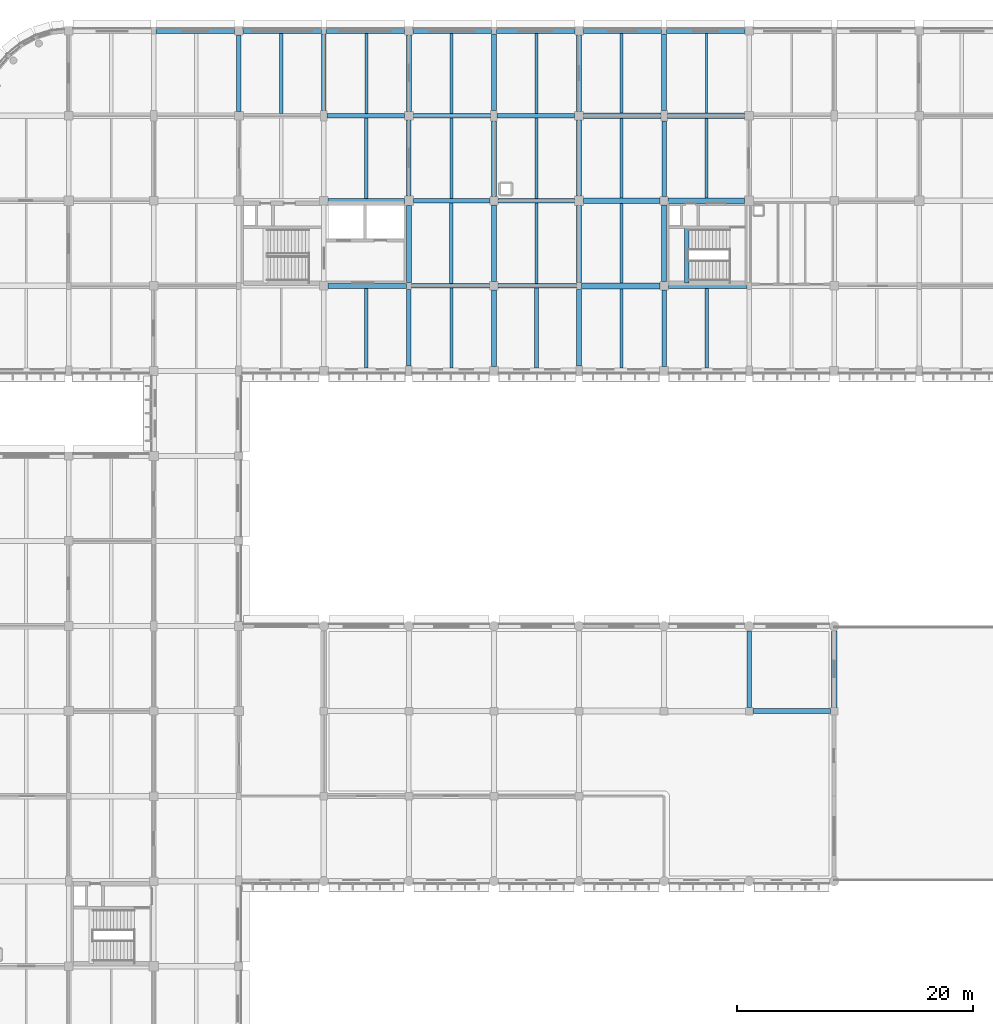
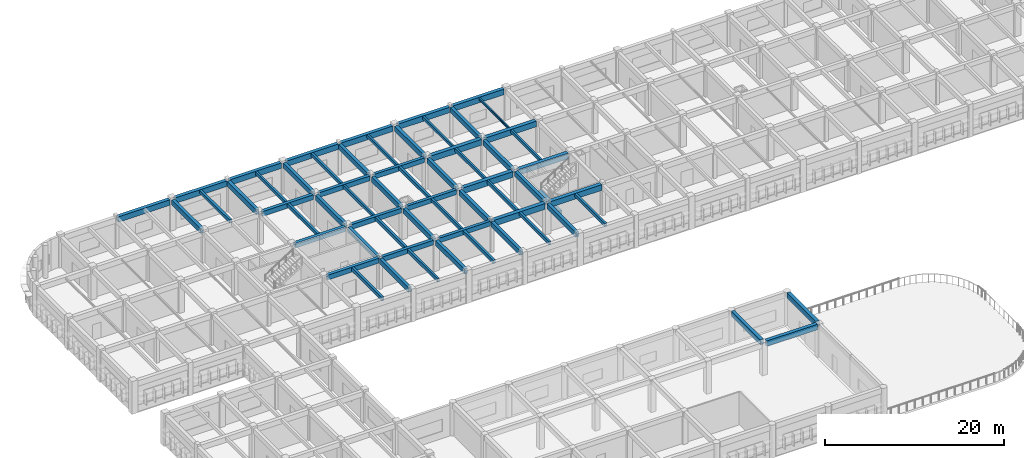
# One storey, part 8 of 61: 63 beams.
"""IFC4 building model written with IfcOpenShell, lengths in metres."""

from ifc_helpers import new_model, si_unit, direction, frame, origin, origin_2d, place, context, subcontext, project, spatial, rectangle, i_section, extrude, material, material_profile, profile_set, type_object, element, save


model = new_model("IFC4")

# Units and contexts
model_context = context("Model", 3, precision=1e-05, world=origin(), true_north=direction((0.0, 1.0)))
body_context = subcontext(model_context, "Body", "Model", "MODEL_VIEW")
ifc_project = project(units=[si_unit("LENGTHUNIT", "METRE"), si_unit("AREAUNIT", "SQUARE_METRE"), si_unit("VOLUMEUNIT", "CUBIC_METRE"), si_unit("PLANEANGLEUNIT", "RADIAN"), si_unit("MASSUNIT", "GRAM", prefix="KILO")], contexts=[model_context])

# Site, building, storey
site_placement = place(None, origin())
site = spatial("IfcSite", under=ifc_project, at=site_placement, CompositionType="ELEMENT")
building_placement = place(site_placement, origin())
building = spatial("IfcBuilding", under=site, at=building_placement, Name="Thalmaran Polytechnic", CompositionType="ELEMENT")
storey_placement = place(building_placement, frame((0.0, 0.0, 9.89990234375)))
storey = spatial("IfcBuildingStorey", under=building, at=storey_placement, Name="L02", CompositionType="ELEMENT", Elevation=9.89990234375)

# Beams
ifc_material_1 = material(Name="Concrete C40/50", Category="concrete")
ifc_material_profile_1 = material_profile(ifc_material_1, rectangle(XDim=0.5, YDim=0.800048828125, at=origin_2d()), Name="RC 500x800")
ifc_profile_set_1 = profile_set([ifc_material_profile_1], Name="Concrete C40/50")
beam_type_1 = type_object("IfcBeamType", Name="BM-RC02", PredefinedType="BEAM", material=ifc_profile_set_1)
beam_1_placement = place(storey_placement, frame((50.60009765625, 100.800048828125, 3.8251953125), z_axis=(1.0, 0.0, 0.0), x_axis=(0.0, 1.0, 0.0)))
element("IfcBeam", 1, at=beam_1_placement, inside=storey, type_object=beam_type_1, Name="Grid Beam B02 L02 X(7,14)", PredefinedType="BEAM", context=body_context, shape_type="SweptSolid", body=[
    extrude(rectangle(XDim=0.5, YDim=0.800048828125, at=origin_2d()), origin(), (0.0, 0.0, 1.0), 6.639892578125),
])
beam_2_placement = place(storey_placement, frame((50.7900390625, 108.0, 3.8251953125), z_axis=(1.0, 0.0, 0.0), x_axis=(0.0, 1.0, 0.0)))
element("IfcBeam", 2, at=beam_2_placement, inside=storey, type_object=beam_type_1, Name="Grid Beam B02 L02 X(7,15)", PredefinedType="BEAM", context=body_context, shape_type="SweptSolid", body=[
    extrude(rectangle(XDim=0.5, YDim=0.800048828125, at=origin_2d()), origin(), (0.0, 0.0, 1.0), 6.4599609375),
])
beam_3_placement = place(storey_placement, frame((50.77490234375, 115.199951171875, 3.8251953125), z_axis=(1.0, 0.0, 0.0), x_axis=(0.0, 1.0, 0.0)))
element("IfcBeam", 3, at=beam_3_placement, inside=storey, type_object=beam_type_1, Name="Grid Beam B02 L02 X(7,16)", PredefinedType="BEAM", context=body_context, shape_type="SweptSolid", body=[
    extrude(rectangle(XDim=0.5, YDim=0.800048828125, at=origin_2d()), origin(), (0.0, 0.0, 1.0), 6.550048828125),
])
ifc_material_profile_2 = material_profile(ifc_material_1, rectangle(XDim=0.449951171875, YDim=0.75, at=origin_2d()), Name="RC 450x750")
ifc_profile_set_2 = profile_set([ifc_material_profile_2], Name="Concrete C40/50")
beam_type_2 = type_object("IfcBeamType", Name="BM-RC03", PredefinedType="BEAM", material=ifc_profile_set_2)
beam_4_placement = place(storey_placement, frame((65.125, 64.800048828125, 4.125), z_axis=(1.0, 0.0, 0.0), x_axis=(0.0, 1.0, 0.0)))
element("IfcBeam", 4, at=beam_4_placement, inside=storey, type_object=beam_type_2, Name="Grid Beam B03 L02 X(9,9)", PredefinedType="BEAM", context=body_context, shape_type="SweptSolid", body=[
    extrude(rectangle(XDim=0.449951171875, YDim=0.75, at=origin_2d()), origin(), (0.0, 0.0, 1.0), 6.550048828125),
])
ifc_material_profile_3 = material_profile(ifc_material_1, rectangle(XDim=0.39990234375, YDim=0.64990234375, at=origin_2d()), Name="RC 400x650")
ifc_profile_set_3 = profile_set([ifc_material_profile_3], Name="Concrete C40/50")
beam_type_3 = type_object("IfcBeamType", Name="BM-RC06", PredefinedType="BEAM", material=ifc_profile_set_3)
beam_5_placement = place(storey_placement, frame((36.199951171875, 100.800048828125, 3.900146484375), z_axis=(1.0, 0.0, 0.0), x_axis=(0.0, 1.0, 0.0)))
element("IfcBeam", 5, at=beam_5_placement, inside=storey, type_object=beam_type_3, Name="Grid Beam B06 L02 X(5,14)", PredefinedType="BEAM", context=body_context, shape_type="SweptSolid", body=[
    extrude(rectangle(XDim=0.39990234375, YDim=0.64990234375, at=origin_2d()), origin(), (0.0, 0.0, 1.0), 6.64013671875),
])
beam_6_placement = place(storey_placement, frame((36.389892578125, 108.0, 3.900146484375), z_axis=(1.0, 0.0, 0.0), x_axis=(0.0, 1.0, 0.0)))
element("IfcBeam", 6, at=beam_6_placement, inside=storey, type_object=beam_type_3, Name="Grid Beam B06 L02 X(5,15)", PredefinedType="BEAM", context=body_context, shape_type="SweptSolid", body=[
    extrude(rectangle(XDim=0.39990234375, YDim=0.64990234375, at=origin_2d()), origin(), (0.0, 0.0, 1.0), 6.460205078125),
])
beam_7_placement = place(storey_placement, frame((36.375, 115.199951171875, 3.900146484375), z_axis=(1.0, 0.0, 0.0), x_axis=(0.0, 1.0, 0.0)))
element("IfcBeam", 7, at=beam_7_placement, inside=storey, type_object=beam_type_3, Name="Grid Beam B06 L02 X(5,16)", PredefinedType="BEAM", context=body_context, shape_type="SweptSolid", body=[
    extrude(rectangle(XDim=0.39990234375, YDim=0.64990234375, at=origin_2d()), origin(), (0.0, 0.0, 1.0), 6.550048828125),
])
ifc_material_profile_4 = material_profile(ifc_material_1, rectangle(XDim=0.389892578125, YDim=0.68505859375, at=origin_2d()), Name="RC 390x685")
ifc_profile_set_4 = profile_set([ifc_material_profile_4], Name="Concrete C40/50")
beam_type_4 = type_object("IfcBeamType", Name="BM-RC08", PredefinedType="BEAM", material=ifc_profile_set_4)
beam_8_placement = place(storey_placement, frame((36.0, 94.02490234375, 3.882568359375), z_axis=(0.0, 1.0, 0.0), x_axis=(-1.0, 0.0, 0.0)))
element("IfcBeam", 8, at=beam_8_placement, inside=storey, type_object=beam_type_4, Name="Grid Beam B08 L02 Y(5,13)", PredefinedType="BEAM", context=body_context, shape_type="SweptSolid", body=[
    extrude(rectangle(XDim=0.389892578125, YDim=0.68505859375, at=origin_2d()), origin(), (0.0, 0.0, 1.0), 6.47509765625),
])
beam_9_placement = place(storey_placement, frame((43.199951171875, 93.97509765625, 3.882568359375), z_axis=(0.0, 1.0, 0.0), x_axis=(-1.0, 0.0, 0.0)))
element("IfcBeam", 9, at=beam_9_placement, inside=storey, type_object=beam_type_4, Name="Grid Beam B08 L02 Y(6,13)", PredefinedType="BEAM", context=body_context, shape_type="SweptSolid", body=[
    extrude(rectangle(XDim=0.389892578125, YDim=0.68505859375, at=origin_2d()), origin(), (0.0, 0.0, 1.0), 6.46484375),
])
beam_10_placement = place(storey_placement, frame((50.39990234375, 94.02490234375, 3.882568359375), z_axis=(0.0, 1.0, 0.0), x_axis=(-1.0, 0.0, 0.0)))
element("IfcBeam", 10, at=beam_10_placement, inside=storey, type_object=beam_type_4, Name="Grid Beam B08 L02 Y(7,13)", PredefinedType="BEAM", context=body_context, shape_type="SweptSolid", body=[
    extrude(rectangle(XDim=0.389892578125, YDim=0.68505859375, at=origin_2d()), origin(), (0.0, 0.0, 1.0), 6.47509765625),
])
beam_11_placement = place(storey_placement, frame((57.60009765625, 93.97509765625, 3.882568359375), z_axis=(0.0, 1.0, 0.0), x_axis=(-1.0, 0.0, 0.0)))
element("IfcBeam", 11, at=beam_11_placement, inside=storey, type_object=beam_type_4, Name="Grid Beam B08 L02 Y(8,13)", PredefinedType="BEAM", context=body_context, shape_type="SweptSolid", body=[
    extrude(rectangle(XDim=0.389892578125, YDim=0.68505859375, at=origin_2d()), origin(), (0.0, 0.0, 1.0), 6.46484375),
])
ifc_material_profile_5 = material_profile(ifc_material_1, rectangle(XDim=0.389892578125, YDim=0.68994140625, at=origin_2d()), Name="RC 390x690")
ifc_profile_set_5 = profile_set([ifc_material_profile_5], Name="Concrete C40/50")
beam_type_5 = type_object("IfcBeamType", Name="BM-RC09", PredefinedType="BEAM", material=ifc_profile_set_5)
beam_12_placement = place(storey_placement, frame((36.0, 108.389892578125, 3.880126953125), z_axis=(0.0, 1.0, 0.0), x_axis=(-1.0, 0.0, 0.0)))
element("IfcBeam", 12, at=beam_12_placement, inside=storey, type_object=beam_type_5, Name="Grid Beam B09 L02 Y(5,15)", PredefinedType="BEAM", context=body_context, shape_type="SweptSolid", body=[
    extrude(rectangle(XDim=0.389892578125, YDim=0.68994140625, at=origin_2d()), origin(), (0.0, 0.0, 1.0), 6.43505859375),
])
beam_13_placement = place(storey_placement, frame((43.199951171875, 108.35009765625, 3.880126953125), z_axis=(0.0, 1.0, 0.0), x_axis=(-1.0, 0.0, 0.0)))
element("IfcBeam", 13, at=beam_13_placement, inside=storey, type_object=beam_type_5, Name="Grid Beam B09 L02 Y(6,15)", PredefinedType="BEAM", context=body_context, shape_type="SweptSolid", body=[
    extrude(rectangle(XDim=0.389892578125, YDim=0.68994140625, at=origin_2d()), origin(), (0.0, 0.0, 1.0), 6.4248046875),
])
beam_14_placement = place(storey_placement, frame((50.39990234375, 108.389892578125, 3.880126953125), z_axis=(0.0, 1.0, 0.0), x_axis=(-1.0, 0.0, 0.0)))
element("IfcBeam", 14, at=beam_14_placement, inside=storey, type_object=beam_type_5, Name="Grid Beam B09 L02 Y(7,15)", PredefinedType="BEAM", context=body_context, shape_type="SweptSolid", body=[
    extrude(rectangle(XDim=0.389892578125, YDim=0.68994140625, at=origin_2d()), origin(), (0.0, 0.0, 1.0), 6.43505859375),
])
beam_15_placement = place(storey_placement, frame((57.60009765625, 108.35009765625, 3.880126953125), z_axis=(0.0, 1.0, 0.0), x_axis=(-1.0, 0.0, 0.0)))
element("IfcBeam", 15, at=beam_15_placement, inside=storey, type_object=beam_type_5, Name="Grid Beam B09 L02 Y(8,15)", PredefinedType="BEAM", context=body_context, shape_type="SweptSolid", body=[
    extrude(rectangle(XDim=0.389892578125, YDim=0.68994140625, at=origin_2d()), origin(), (0.0, 0.0, 1.0), 6.4248046875),
])
ifc_material_profile_6 = material_profile(ifc_material_1, rectangle(XDim=0.389892578125, YDim=0.695068359375, at=origin_2d()), Name="RC 390x695")
ifc_profile_set_6 = profile_set([ifc_material_profile_6], Name="Concrete C40/50")
beam_type_6 = type_object("IfcBeamType", Name="BM-RC10", PredefinedType="BEAM", material=ifc_profile_set_6)
beam_16_placement = place(storey_placement, frame((59.52001953125, 101.0400390625, 1.7900390625), z_axis=(0.0, 1.0, 0.0), x_axis=(-1.0, 0.0, 0.0)))
element("IfcBeam", 16, at=beam_16_placement, inside=storey, type_object=beam_type_6, Name="ST6 L02 Half-Landing Trimmer Beam", PredefinedType="BEAM", context=body_context, shape_type="SweptSolid", body=[
    extrude(rectangle(XDim=0.389892578125, YDim=0.695068359375, at=origin_2d()), origin(), (0.0, 0.0, 1.0), 4.699951171875),
])
ifc_material_profile_7 = material_profile(ifc_material_1, rectangle(XDim=0.300048828125, YDim=0.5, at=origin_2d()), Name="RC 300x500")
ifc_profile_set_7 = profile_set([ifc_material_profile_7], Name="Concrete C40/50")
beam_type_7 = type_object("IfcBeamType", Name="BM-RC11", PredefinedType="JOIST", material=ifc_profile_set_7)
beam_17_placement = place(storey_placement, frame((32.39990234375, 93.824951171875, 3.97509765625), z_axis=(0.0, 1.0, 0.0), x_axis=(-1.0, 0.0, 0.0)))
element("IfcBeam", 17, at=beam_17_placement, inside=storey, type_object=beam_type_7, Name="Secondary Floor Rib RB01 L02 (4,13)", PredefinedType="JOIST", context=body_context, shape_type="SweptSolid", body=[
    extrude(rectangle(XDim=0.300048828125, YDim=0.5, at=origin_2d()), origin(), (0.0, 0.0, 1.0), 6.76513671875),
])
ifc_material_profile_8 = material_profile(ifc_material_1, rectangle(XDim=0.300048828125, YDim=0.449951171875, at=origin_2d()), Name="RC 300x450")
ifc_profile_set_8 = profile_set([ifc_material_profile_8], Name="Concrete C40/50")
beam_type_8 = type_object("IfcBeamType", Name="BM-RC12", PredefinedType="JOIST", material=ifc_profile_set_8)
beam_18_placement = place(storey_placement, frame((25.199951171875, 115.39990234375, 4.0), z_axis=(0.0, 1.0, 0.0), x_axis=(-1.0, 0.0, 0.0)))
element("IfcBeam", 18, at=beam_18_placement, inside=storey, type_object=beam_type_8, Name="Secondary Floor Rib RB02 L02 (3,16)", PredefinedType="JOIST", context=body_context, shape_type="SweptSolid", body=[
    extrude(rectangle(XDim=0.300048828125, YDim=0.449951171875, at=origin_2d()), origin(), (0.0, 0.0, 1.0), 6.775146484375),
])
beam_19_placement = place(storey_placement, frame((32.39990234375, 108.2099609375, 4.0), z_axis=(0.0, 1.0, 0.0), x_axis=(-1.0, 0.0, 0.0)))
element("IfcBeam", 19, at=beam_19_placement, inside=storey, type_object=beam_type_8, Name="Secondary Floor Rib RB02 L02 (4,15)", PredefinedType="JOIST", context=body_context, shape_type="SweptSolid", body=[
    extrude(rectangle(XDim=0.300048828125, YDim=0.449951171875, at=origin_2d()), origin(), (0.0, 0.0, 1.0), 6.780029296875),
])
beam_20_placement = place(storey_placement, frame((39.60009765625, 101.0, 4.0), z_axis=(0.0, 1.0, 0.0), x_axis=(-1.0, 0.0, 0.0)))
element("IfcBeam", 20, at=beam_20_placement, inside=storey, type_object=beam_type_8, Name="Secondary Floor Rib RB02 L02 (5,14)", PredefinedType="JOIST", context=body_context, shape_type="SweptSolid", body=[
    extrude(rectangle(XDim=0.300048828125, YDim=0.449951171875, at=origin_2d()), origin(), (0.0, 0.0, 1.0), 6.800048828125),
])
beam_21_placement = place(storey_placement, frame((46.800048828125, 93.824951171875, 4.0), z_axis=(0.0, 1.0, 0.0), x_axis=(-1.0, 0.0, 0.0)))
element("IfcBeam", 21, at=beam_21_placement, inside=storey, type_object=beam_type_8, Name="Secondary Floor Rib RB02 L02 (6,13)", PredefinedType="JOIST", context=body_context, shape_type="SweptSolid", body=[
    extrude(rectangle(XDim=0.300048828125, YDim=0.449951171875, at=origin_2d()), origin(), (0.0, 0.0, 1.0), 6.78515625),
])
ifc_material_profile_9 = material_profile(ifc_material_1, rectangle(XDim=0.280029296875, YDim=0.449951171875, at=origin_2d()), Name="RC 280x450")
ifc_profile_set_9 = profile_set([ifc_material_profile_9], Name="Concrete C40/50")
beam_type_9 = type_object("IfcBeamType", Name="BM-RC13", PredefinedType="JOIST", material=ifc_profile_set_9)
beam_22_placement = place(storey_placement, frame((39.60009765625, 115.39990234375, 4.0), z_axis=(0.0, 1.0, 0.0), x_axis=(-1.0, 0.0, 0.0)))
element("IfcBeam", 22, at=beam_22_placement, inside=storey, type_object=beam_type_9, Name="Secondary Floor Rib RB03 L02 (5,16)", PredefinedType="JOIST", context=body_context, shape_type="SweptSolid", body=[
    extrude(rectangle(XDim=0.280029296875, YDim=0.449951171875, at=origin_2d()), origin(), (0.0, 0.0, 1.0), 6.775146484375),
])
beam_23_placement = place(storey_placement, frame((46.800048828125, 108.18994140625, 4.0), z_axis=(0.0, 1.0, 0.0), x_axis=(-1.0, 0.0, 0.0)))
element("IfcBeam", 23, at=beam_23_placement, inside=storey, type_object=beam_type_9, Name="Secondary Floor Rib RB03 L02 (6,15)", PredefinedType="JOIST", context=body_context, shape_type="SweptSolid", body=[
    extrude(rectangle(XDim=0.280029296875, YDim=0.449951171875, at=origin_2d()), origin(), (0.0, 0.0, 1.0), 6.820068359375),
])
beam_24_placement = place(storey_placement, frame((54.0, 101.050048828125, 4.0), z_axis=(0.0, 1.0, 0.0), x_axis=(-1.0, 0.0, 0.0)))
element("IfcBeam", 24, at=beam_24_placement, inside=storey, type_object=beam_type_9, Name="Secondary Floor Rib RB03 L02 (7,14)", PredefinedType="JOIST", context=body_context, shape_type="SweptSolid", body=[
    extrude(rectangle(XDim=0.280029296875, YDim=0.449951171875, at=origin_2d()), origin(), (0.0, 0.0, 1.0), 6.699951171875),
])
beam_25_placement = place(storey_placement, frame((61.199951171875, 93.824951171875, 4.0), z_axis=(0.0, 1.0, 0.0), x_axis=(-1.0, 0.0, 0.0)))
element("IfcBeam", 25, at=beam_25_placement, inside=storey, type_object=beam_type_9, Name="Secondary Floor Rib RB03 L02 (8,13)", PredefinedType="JOIST", context=body_context, shape_type="SweptSolid", body=[
    extrude(rectangle(XDim=0.280029296875, YDim=0.449951171875, at=origin_2d()), origin(), (0.0, 0.0, 1.0), 6.735107421875),
])
ifc_material_2 = material(Name="Steel S355", Category="steel")
ifc_material_profile_10 = material_profile(ifc_material_2, i_section(OverallWidth=0.159912109375, OverallDepth=0.330078125, WebThickness=0.007568359375, FlangeThickness=0.011474609375, at=origin_2d()), Name="IPE 330")
ifc_profile_set_10 = profile_set([ifc_material_profile_10], Name="Steel S355")
beam_type_10 = type_object("IfcBeamType", Name="BM-SJ02", PredefinedType="JOIST", material=ifc_profile_set_10)
beam_26_placement = place(storey_placement, frame((61.199951171875, 115.43994140625, 4.06005859375), z_axis=(0.0, 1.0, 0.0), x_axis=(-1.0, 0.0, 0.0)))
element("IfcBeam", 26, at=beam_26_placement, inside=storey, type_object=beam_type_10, Name="Secondary Floor Rib SJ02 L02 (8,16)", PredefinedType="JOIST", context=body_context, shape_type="SweptSolid", body=[
    extrude(i_section(OverallWidth=0.159912109375, OverallDepth=0.330078125, WebThickness=0.007568359375, FlangeThickness=0.011474609375, at=origin_2d()), origin(), (0.0, 0.0, 1.0), 6.735107421875),
])
ifc_material_profile_11 = material_profile(ifc_material_1, rectangle(XDim=0.449951171875, YDim=0.7548828125, at=origin_2d()), Name="RC 450x755")
ifc_profile_set_11 = profile_set([ifc_material_profile_11], Name="Concrete C40/50")
beam_type_11 = type_object("IfcBeamType", Name="BM-SP02", PredefinedType="SPANDREL", material=ifc_profile_set_11)
beam_27_placement = place(storey_placement, frame((14.60009765625, 122.39990234375, 3.84765625), z_axis=(1.0, 0.0, 0.0), x_axis=(0.0, 1.0, 0.0)))
element("IfcBeam", 27, at=beam_27_placement, inside=storey, type_object=beam_type_11, Name="Grid Beam SP02 L02 X(2,17)", PredefinedType="SPANDREL", context=body_context, shape_type="SweptSolid", body=[
    extrude(rectangle(XDim=0.449951171875, YDim=0.7548828125, at=origin_2d()), origin(), (0.0, 0.0, 1.0), 6.639892578125),
])
beam_28_placement = place(storey_placement, frame((21.9599609375, 122.39990234375, 3.84765625), z_axis=(1.0, 0.0, 0.0), x_axis=(0.0, 1.0, 0.0)))
element("IfcBeam", 28, at=beam_28_placement, inside=storey, type_object=beam_type_11, Name="Grid Beam SP02 L02 X(3,17)", PredefinedType="SPANDREL", context=body_context, shape_type="SweptSolid", body=[
    extrude(rectangle(XDim=0.449951171875, YDim=0.7548828125, at=origin_2d()), origin(), (0.0, 0.0, 1.0), 6.64013671875),
])
for number, where, z_axis, x_axis, name in (
    (29, (29.0, 122.39990234375, 3.84765625), (1.0, 0.0, 0.0), (0.0, 1.0, 0.0), "Grid Beam SP02 L02 X(4,17)"),
    (30, (36.360107421875, 122.39990234375, 3.84765625), (1.0, 0.0, 0.0), (0.0, 1.0, 0.0), "Grid Beam SP02 L02 X(5,17)"),
):
    element("IfcBeam", number, at=place(storey_placement, frame(where, z_axis=z_axis, x_axis=x_axis)), inside=storey, type_object=beam_type_11, Name=name, PredefinedType="SPANDREL", context=body_context, shape_type="SweptSolid", body=[
        extrude(rectangle(XDim=0.449951171875, YDim=0.7548828125, at=origin_2d()), origin(), (0.0, 0.0, 1.0), 6.639892578125),
    ])
beam_29_placement = place(storey_placement, frame((43.39990234375, 122.39990234375, 3.84765625), z_axis=(1.0, 0.0, 0.0), x_axis=(0.0, 1.0, 0.0)))
element("IfcBeam", 31, at=beam_29_placement, inside=storey, type_object=beam_type_11, Name="Grid Beam SP02 L02 X(6,17)", PredefinedType="SPANDREL", context=body_context, shape_type="SweptSolid", body=[
    extrude(rectangle(XDim=0.449951171875, YDim=0.7548828125, at=origin_2d()), origin(), (0.0, 0.0, 1.0), 6.64013671875),
])
for number, where, z_axis, x_axis, name in (
    (32, (50.760009765625, 122.39990234375, 3.84765625), (1.0, 0.0, 0.0), (0.0, 1.0, 0.0), "Grid Beam SP02 L02 X(7,17)"),
    (33, (57.800048828125, 122.39990234375, 3.84765625), (1.0, 0.0, 0.0), (0.0, 1.0, 0.0), "Grid Beam SP02 L02 X(8,17)"),
):
    element("IfcBeam", number, at=place(storey_placement, frame(where, z_axis=z_axis, x_axis=x_axis)), inside=storey, type_object=beam_type_11, Name=name, PredefinedType="SPANDREL", context=body_context, shape_type="SweptSolid", body=[
        extrude(rectangle(XDim=0.449951171875, YDim=0.7548828125, at=origin_2d()), origin(), (0.0, 0.0, 1.0), 6.639892578125),
    ])
beam_30_placement = place(storey_placement, frame((72.0, 65.125, 4.12255859375), z_axis=(0.0, 1.0, 0.0), x_axis=(-1.0, 0.0, 0.0)))
element("IfcBeam", 34, at=beam_30_placement, inside=storey, type_object=beam_type_11, Name="Grid Beam SP02 L02 Y(10,9)", PredefinedType="SPANDREL", context=body_context, shape_type="SweptSolid", body=[
    extrude(rectangle(XDim=0.449951171875, YDim=0.7548828125, at=origin_2d()), origin(), (0.0, 0.0, 1.0), 6.47509765625),
])
ifc_material_profile_12 = material_profile(ifc_material_1, rectangle(XDim=0.47998046875, YDim=0.780029296875, at=origin_2d()), Name="RC 480x780")
ifc_profile_set_12 = profile_set([ifc_material_profile_12], Name="Concrete C40/50")
beam_type_12 = type_object("IfcBeamType", Name="BM-ZB01", PredefinedType="BEAM", material=ifc_profile_set_12)
beam_31_placement = place(storey_placement, frame((57.9599609375, 100.800048828125, 3.835205078125), z_axis=(1.0, 0.0, 0.0), x_axis=(0.0, 1.0, 0.0)))
element("IfcBeam", 35, at=beam_31_placement, inside=storey, type_object=beam_type_12, Name="Grid Beam ZB01 L02 X(8,14)", PredefinedType="BEAM", context=body_context, shape_type="SweptSolid", body=[
    extrude(rectangle(XDim=0.47998046875, YDim=0.780029296875, at=origin_2d()), origin(), (0.0, 0.0, 1.0), 6.64013671875),
])
beam_32_placement = place(storey_placement, frame((57.949951171875, 108.0, 3.835205078125), z_axis=(1.0, 0.0, 0.0), x_axis=(0.0, 1.0, 0.0)))
element("IfcBeam", 36, at=beam_32_placement, inside=storey, type_object=beam_type_12, Name="Grid Beam ZB01 L02 X(8,15)", PredefinedType="BEAM", context=body_context, shape_type="SweptSolid", body=[
    extrude(rectangle(XDim=0.47998046875, YDim=0.780029296875, at=origin_2d()), origin(), (0.0, 0.0, 1.0), 6.4599609375),
])
beam_33_placement = place(storey_placement, frame((57.875, 115.199951171875, 3.835205078125), z_axis=(1.0, 0.0, 0.0), x_axis=(0.0, 1.0, 0.0)))
element("IfcBeam", 37, at=beam_33_placement, inside=storey, type_object=beam_type_12, Name="Grid Beam ZB01 L02 X(8,16)", PredefinedType="BEAM", context=body_context, shape_type="SweptSolid", body=[
    extrude(rectangle(XDim=0.47998046875, YDim=0.780029296875, at=origin_2d()), origin(), (0.0, 0.0, 1.0), 6.550048828125),
])
ifc_material_profile_13 = material_profile(ifc_material_1, rectangle(XDim=0.419921875, YDim=0.659912109375, at=origin_2d()), Name="RC 420x660")
ifc_profile_set_13 = profile_set([ifc_material_profile_13], Name="Concrete C40/50")
beam_type_13 = type_object("IfcBeamType", Name="BM-ZB04", PredefinedType="BEAM", material=ifc_profile_set_13)
beam_34_placement = place(storey_placement, frame((29.159912109375, 100.800048828125, 3.89501953125), z_axis=(1.0, 0.0, 0.0), x_axis=(0.0, 1.0, 0.0)))
element("IfcBeam", 38, at=beam_34_placement, inside=storey, type_object=beam_type_13, Name="Grid Beam ZB04 L02 X(4,14)", PredefinedType="BEAM", context=body_context, shape_type="SweptSolid", body=[
    extrude(rectangle(XDim=0.419921875, YDim=0.659912109375, at=origin_2d()), origin(), (0.0, 0.0, 1.0), 6.64013671875),
])
beam_35_placement = place(storey_placement, frame((29.14990234375, 108.0, 3.89501953125), z_axis=(1.0, 0.0, 0.0), x_axis=(0.0, 1.0, 0.0)))
element("IfcBeam", 39, at=beam_35_placement, inside=storey, type_object=beam_type_13, Name="Grid Beam ZB04 L02 X(4,15)", PredefinedType="BEAM", context=body_context, shape_type="SweptSolid", body=[
    extrude(rectangle(XDim=0.419921875, YDim=0.659912109375, at=origin_2d()), origin(), (0.0, 0.0, 1.0), 6.460205078125),
])
beam_36_placement = place(storey_placement, frame((29.074951171875, 115.199951171875, 3.89501953125), z_axis=(1.0, 0.0, 0.0), x_axis=(0.0, 1.0, 0.0)))
element("IfcBeam", 40, at=beam_36_placement, inside=storey, type_object=beam_type_13, Name="Grid Beam ZB04 L02 X(4,16)", PredefinedType="BEAM", context=body_context, shape_type="SweptSolid", body=[
    extrude(rectangle(XDim=0.419921875, YDim=0.659912109375, at=origin_2d()), origin(), (0.0, 0.0, 1.0), 6.550048828125),
])
ifc_material_profile_14 = material_profile(ifc_material_1, rectangle(XDim=0.3798828125, YDim=0.639892578125, at=origin_2d()), Name="RC 380x640")
ifc_profile_set_14 = profile_set([ifc_material_profile_14], Name="Concrete C40/50")
beam_type_14 = type_object("IfcBeamType", Name="BM-ZB05", PredefinedType="BEAM", material=ifc_profile_set_14)
beam_37_placement = place(storey_placement, frame((43.56005859375, 100.800048828125, 3.905029296875), z_axis=(1.0, 0.0, 0.0), x_axis=(0.0, 1.0, 0.0)))
element("IfcBeam", 41, at=beam_37_placement, inside=storey, type_object=beam_type_14, Name="Grid Beam ZB05 L02 X(6,14)", PredefinedType="BEAM", context=body_context, shape_type="SweptSolid", body=[
    extrude(rectangle(XDim=0.3798828125, YDim=0.639892578125, at=origin_2d()), origin(), (0.0, 0.0, 1.0), 6.639892578125),
])
beam_38_placement = place(storey_placement, frame((43.550048828125, 108.0, 3.905029296875), z_axis=(1.0, 0.0, 0.0), x_axis=(0.0, 1.0, 0.0)))
element("IfcBeam", 42, at=beam_38_placement, inside=storey, type_object=beam_type_14, Name="Grid Beam ZB05 L02 X(6,15)", PredefinedType="BEAM", context=body_context, shape_type="SweptSolid", body=[
    extrude(rectangle(XDim=0.3798828125, YDim=0.639892578125, at=origin_2d()), origin(), (0.0, 0.0, 1.0), 6.4599609375),
])
beam_39_placement = place(storey_placement, frame((43.47509765625, 115.199951171875, 3.905029296875), z_axis=(1.0, 0.0, 0.0), x_axis=(0.0, 1.0, 0.0)))
element("IfcBeam", 43, at=beam_39_placement, inside=storey, type_object=beam_type_14, Name="Grid Beam ZB05 L02 X(6,16)", PredefinedType="BEAM", context=body_context, shape_type="SweptSolid", body=[
    extrude(rectangle(XDim=0.3798828125, YDim=0.639892578125, at=origin_2d()), origin(), (0.0, 0.0, 1.0), 6.5498046875),
])
ifc_material_profile_15 = material_profile(ifc_material_1, rectangle(XDim=0.39990234375, YDim=0.68505859375, at=origin_2d()), Name="RC 400x685")
ifc_profile_set_15 = profile_set([ifc_material_profile_15], Name="Concrete C40/50")
beam_type_15 = type_object("IfcBeamType", Name="BM-ZB07", PredefinedType="BEAM", material=ifc_profile_set_15)
beam_40_placement = place(storey_placement, frame((36.0, 101.10009765625, 3.882568359375), z_axis=(0.0, 1.0, 0.0), x_axis=(-1.0, 0.0, 0.0)))
element("IfcBeam", 44, at=beam_40_placement, inside=storey, type_object=beam_type_15, Name="Grid Beam ZB07 L02 Y(5,14)", PredefinedType="BEAM", context=body_context, shape_type="SweptSolid", body=[
    extrude(rectangle(XDim=0.39990234375, YDim=0.68505859375, at=origin_2d()), origin(), (0.0, 0.0, 1.0), 6.510009765625),
])
beam_41_placement = place(storey_placement, frame((43.199951171875, 101.159912109375, 3.882568359375), z_axis=(0.0, 1.0, 0.0), x_axis=(-1.0, 0.0, 0.0)))
element("IfcBeam", 45, at=beam_41_placement, inside=storey, type_object=beam_type_15, Name="Grid Beam ZB07 L02 Y(6,14)", PredefinedType="BEAM", context=body_context, shape_type="SweptSolid", body=[
    extrude(rectangle(XDim=0.39990234375, YDim=0.68505859375, at=origin_2d()), origin(), (0.0, 0.0, 1.0), 6.489990234375),
])
beam_42_placement = place(storey_placement, frame((50.39990234375, 101.10009765625, 3.882568359375), z_axis=(0.0, 1.0, 0.0), x_axis=(-1.0, 0.0, 0.0)))
element("IfcBeam", 46, at=beam_42_placement, inside=storey, type_object=beam_type_15, Name="Grid Beam ZB07 L02 Y(7,14)", PredefinedType="BEAM", context=body_context, shape_type="SweptSolid", body=[
    extrude(rectangle(XDim=0.39990234375, YDim=0.68505859375, at=origin_2d()), origin(), (0.0, 0.0, 1.0), 6.510009765625),
])
beam_43_placement = place(storey_placement, frame((57.60009765625, 101.159912109375, 3.882568359375), z_axis=(0.0, 1.0, 0.0), x_axis=(-1.0, 0.0, 0.0)))
element("IfcBeam", 47, at=beam_43_placement, inside=storey, type_object=beam_type_15, Name="Grid Beam ZB07 L02 Y(8,14)", PredefinedType="BEAM", context=body_context, shape_type="SweptSolid", body=[
    extrude(rectangle(XDim=0.39990234375, YDim=0.68505859375, at=origin_2d()), origin(), (0.0, 0.0, 1.0), 6.489990234375),
])
ifc_material_profile_16 = material_profile(ifc_material_1, rectangle(XDim=0.39990234375, YDim=0.695068359375, at=origin_2d()), Name="RC 400x695")
ifc_profile_set_16 = profile_set([ifc_material_profile_16], Name="Concrete C40/50")
beam_type_16 = type_object("IfcBeamType", Name="BM-ZB08", PredefinedType="BEAM", material=ifc_profile_set_16)
beam_44_placement = place(storey_placement, frame((21.60009765625, 115.574951171875, 3.877685546875), z_axis=(0.0, 1.0, 0.0), x_axis=(-1.0, 0.0, 0.0)))
element("IfcBeam", 48, at=beam_44_placement, inside=storey, type_object=beam_type_16, Name="Grid Beam ZB08 L02 Y(3,16)", PredefinedType="BEAM", context=body_context, shape_type="SweptSolid", body=[
    extrude(rectangle(XDim=0.39990234375, YDim=0.695068359375, at=origin_2d()), origin(), (0.0, 0.0, 1.0), 6.465087890625),
])
beam_45_placement = place(storey_placement, frame((28.800048828125, 115.625, 3.877685546875), z_axis=(0.0, 1.0, 0.0), x_axis=(-1.0, 0.0, 0.0)))
element("IfcBeam", 49, at=beam_45_placement, inside=storey, type_object=beam_type_16, Name="Grid Beam ZB08 L02 Y(4,16)", PredefinedType="BEAM", context=body_context, shape_type="SweptSolid", body=[
    extrude(rectangle(XDim=0.39990234375, YDim=0.695068359375, at=origin_2d()), origin(), (0.0, 0.0, 1.0), 6.47509765625),
])
beam_46_placement = place(storey_placement, frame((36.0, 115.574951171875, 3.877685546875), z_axis=(0.0, 1.0, 0.0), x_axis=(-1.0, 0.0, 0.0)))
element("IfcBeam", 50, at=beam_46_placement, inside=storey, type_object=beam_type_16, Name="Grid Beam ZB08 L02 Y(5,16)", PredefinedType="BEAM", context=body_context, shape_type="SweptSolid", body=[
    extrude(rectangle(XDim=0.39990234375, YDim=0.695068359375, at=origin_2d()), origin(), (0.0, 0.0, 1.0), 6.465087890625),
])
beam_47_placement = place(storey_placement, frame((43.199951171875, 115.625, 3.877685546875), z_axis=(0.0, 1.0, 0.0), x_axis=(-1.0, 0.0, 0.0)))
element("IfcBeam", 51, at=beam_47_placement, inside=storey, type_object=beam_type_16, Name="Grid Beam ZB08 L02 Y(6,16)", PredefinedType="BEAM", context=body_context, shape_type="SweptSolid", body=[
    extrude(rectangle(XDim=0.39990234375, YDim=0.695068359375, at=origin_2d()), origin(), (0.0, 0.0, 1.0), 6.47509765625),
])
beam_48_placement = place(storey_placement, frame((50.39990234375, 115.574951171875, 3.877685546875), z_axis=(0.0, 1.0, 0.0), x_axis=(-1.0, 0.0, 0.0)))
element("IfcBeam", 52, at=beam_48_placement, inside=storey, type_object=beam_type_16, Name="Grid Beam ZB08 L02 Y(7,16)", PredefinedType="BEAM", context=body_context, shape_type="SweptSolid", body=[
    extrude(rectangle(XDim=0.39990234375, YDim=0.695068359375, at=origin_2d()), origin(), (0.0, 0.0, 1.0), 6.465087890625),
])
for number, where, z_axis, x_axis, name in (
    (53, (57.60009765625, 115.625, 3.877685546875), (0.0, 1.0, 0.0), (-1.0, 0.0, 0.0), "Grid Beam ZB08 L02 Y(8,16)"),
    (54, (64.800048828125, 65.125, 4.152587890625), (0.0, 1.0, 0.0), (-1.0, 0.0, 0.0), "Grid Beam ZB08 L02 Y(9,9)"),
):
    element("IfcBeam", number, at=place(storey_placement, frame(where, z_axis=z_axis, x_axis=x_axis)), inside=storey, type_object=beam_type_16, Name=name, PredefinedType="BEAM", context=body_context, shape_type="SweptSolid", body=[
        extrude(rectangle(XDim=0.39990234375, YDim=0.695068359375, at=origin_2d()), origin(), (0.0, 0.0, 1.0), 6.47509765625),
    ])
ifc_material_profile_17 = material_profile(ifc_material_1, rectangle(XDim=0.280029296875, YDim=0.47998046875, at=origin_2d()), Name="RC 280x480")
ifc_profile_set_17 = profile_set([ifc_material_profile_17], Name="Concrete C40/50")
beam_type_17 = type_object("IfcBeamType", Name="BM-ZJ01", PredefinedType="JOIST", material=ifc_profile_set_17)
beam_49_placement = place(storey_placement, frame((39.60009765625, 93.824951171875, 3.985107421875), z_axis=(0.0, 1.0, 0.0), x_axis=(-1.0, 0.0, 0.0)))
element("IfcBeam", 55, at=beam_49_placement, inside=storey, type_object=beam_type_17, Name="Secondary Floor Rib ZJ01 L02 (5,13)", PredefinedType="JOIST", context=body_context, shape_type="SweptSolid", body=[
    extrude(rectangle(XDim=0.280029296875, YDim=0.47998046875, at=origin_2d()), origin(), (0.0, 0.0, 1.0), 6.775146484375),
])
ifc_material_profile_18 = material_profile(ifc_material_1, rectangle(XDim=0.260009765625, YDim=0.43994140625, at=origin_2d()), Name="RC 260x440")
ifc_profile_set_18 = profile_set([ifc_material_profile_18], Name="Concrete C40/50")
beam_type_18 = type_object("IfcBeamType", Name="BM-ZJ02", PredefinedType="JOIST", material=ifc_profile_set_18)
beam_50_placement = place(storey_placement, frame((32.39990234375, 115.409912109375, 4.005126953125), z_axis=(0.0, 1.0, 0.0), x_axis=(-1.0, 0.0, 0.0)))
element("IfcBeam", 56, at=beam_50_placement, inside=storey, type_object=beam_type_18, Name="Secondary Floor Rib ZJ02 L02 (4,16)", PredefinedType="JOIST", context=body_context, shape_type="SweptSolid", body=[
    extrude(rectangle(XDim=0.260009765625, YDim=0.43994140625, at=origin_2d()), origin(), (0.0, 0.0, 1.0), 6.76513671875),
])
beam_51_placement = place(storey_placement, frame((39.60009765625, 108.199951171875, 4.005126953125), z_axis=(0.0, 1.0, 0.0), x_axis=(-1.0, 0.0, 0.0)))
element("IfcBeam", 57, at=beam_51_placement, inside=storey, type_object=beam_type_18, Name="Secondary Floor Rib ZJ02 L02 (5,15)", PredefinedType="JOIST", context=body_context, shape_type="SweptSolid", body=[
    extrude(rectangle(XDim=0.260009765625, YDim=0.43994140625, at=origin_2d()), origin(), (0.0, 0.0, 1.0), 6.800048828125),
])
beam_52_placement = place(storey_placement, frame((46.800048828125, 100.989990234375, 4.005126953125), z_axis=(0.0, 1.0, 0.0), x_axis=(-1.0, 0.0, 0.0)))
element("IfcBeam", 58, at=beam_52_placement, inside=storey, type_object=beam_type_18, Name="Secondary Floor Rib ZJ02 L02 (6,14)", PredefinedType="JOIST", context=body_context, shape_type="SweptSolid", body=[
    extrude(rectangle(XDim=0.260009765625, YDim=0.43994140625, at=origin_2d()), origin(), (0.0, 0.0, 1.0), 6.820068359375),
])
beam_53_placement = place(storey_placement, frame((54.0, 93.824951171875, 4.005126953125), z_axis=(0.0, 1.0, 0.0), x_axis=(-1.0, 0.0, 0.0)))
element("IfcBeam", 59, at=beam_53_placement, inside=storey, type_object=beam_type_18, Name="Secondary Floor Rib ZJ02 L02 (7,13)", PredefinedType="JOIST", context=body_context, shape_type="SweptSolid", body=[
    extrude(rectangle(XDim=0.260009765625, YDim=0.43994140625, at=origin_2d()), origin(), (0.0, 0.0, 1.0), 6.72509765625),
])
ifc_material_profile_19 = material_profile(ifc_material_1, rectangle(XDim=0.25, YDim=0.419921875, at=origin_2d()), Name="RC 250x420")
ifc_profile_set_19 = profile_set([ifc_material_profile_19], Name="Concrete C40/50")
beam_type_19 = type_object("IfcBeamType", Name="BM-ZJ03", PredefinedType="JOIST", material=ifc_profile_set_19)
beam_54_placement = place(storey_placement, frame((46.800048828125, 115.389892578125, 4.01513671875), z_axis=(0.0, 1.0, 0.0), x_axis=(-1.0, 0.0, 0.0)))
element("IfcBeam", 60, at=beam_54_placement, inside=storey, type_object=beam_type_19, Name="Secondary Floor Rib ZJ03 L02 (6,16)", PredefinedType="JOIST", context=body_context, shape_type="SweptSolid", body=[
    extrude(rectangle(XDim=0.25, YDim=0.419921875, at=origin_2d()), origin(), (0.0, 0.0, 1.0), 6.78515625),
])
beam_55_placement = place(storey_placement, frame((54.0, 108.25, 4.01513671875), z_axis=(0.0, 1.0, 0.0), x_axis=(-1.0, 0.0, 0.0)))
element("IfcBeam", 61, at=beam_55_placement, inside=storey, type_object=beam_type_19, Name="Secondary Floor Rib ZJ03 L02 (7,15)", PredefinedType="JOIST", context=body_context, shape_type="SweptSolid", body=[
    extrude(rectangle(XDim=0.25, YDim=0.419921875, at=origin_2d()), origin(), (0.0, 0.0, 1.0), 6.699951171875),
])
ifc_material_profile_20 = material_profile(ifc_material_1, rectangle(XDim=0.239990234375, YDim=0.39990234375, at=origin_2d()), Name="RC 240x400")
ifc_profile_set_20 = profile_set([ifc_material_profile_20], Name="Concrete C40/50")
beam_type_20 = type_object("IfcBeamType", Name="BM-ZJ04", PredefinedType="JOIST", material=ifc_profile_set_20)
beam_56_placement = place(storey_placement, frame((54.0, 115.449951171875, 4.025146484375), z_axis=(0.0, 1.0, 0.0), x_axis=(-1.0, 0.0, 0.0)))
element("IfcBeam", 62, at=beam_56_placement, inside=storey, type_object=beam_type_20, Name="Secondary Floor Rib ZJ04 L02 (7,16)", PredefinedType="JOIST", context=body_context, shape_type="SweptSolid", body=[
    extrude(rectangle(XDim=0.239990234375, YDim=0.39990234375, at=origin_2d()), origin(), (0.0, 0.0, 1.0), 6.72509765625),
])
beam_57_placement = place(storey_placement, frame((61.199951171875, 108.239990234375, 4.025146484375), z_axis=(0.0, 1.0, 0.0), x_axis=(-1.0, 0.0, 0.0)))
element("IfcBeam", 63, at=beam_57_placement, inside=storey, type_object=beam_type_20, Name="Secondary Floor Rib ZJ04 L02 (8,15)", PredefinedType="JOIST", context=body_context, shape_type="SweptSolid", body=[
    extrude(rectangle(XDim=0.239990234375, YDim=0.39990234375, at=origin_2d()), origin(), (0.0, 0.0, 1.0), 6.719970703125),
])

save(model, "model.ifc")
